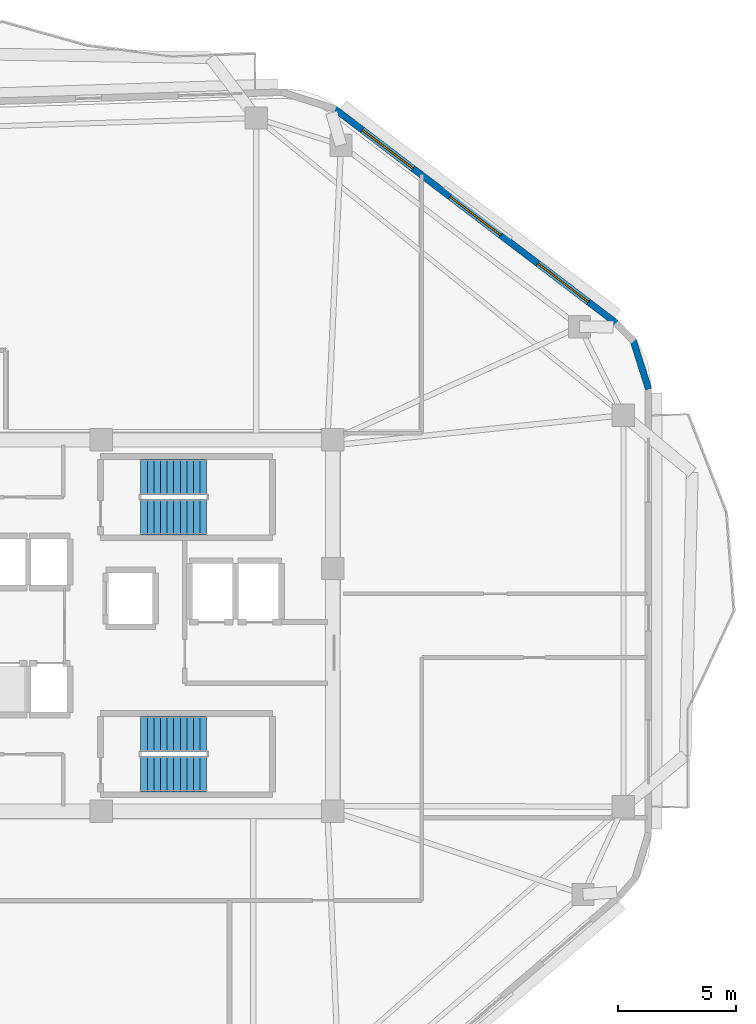
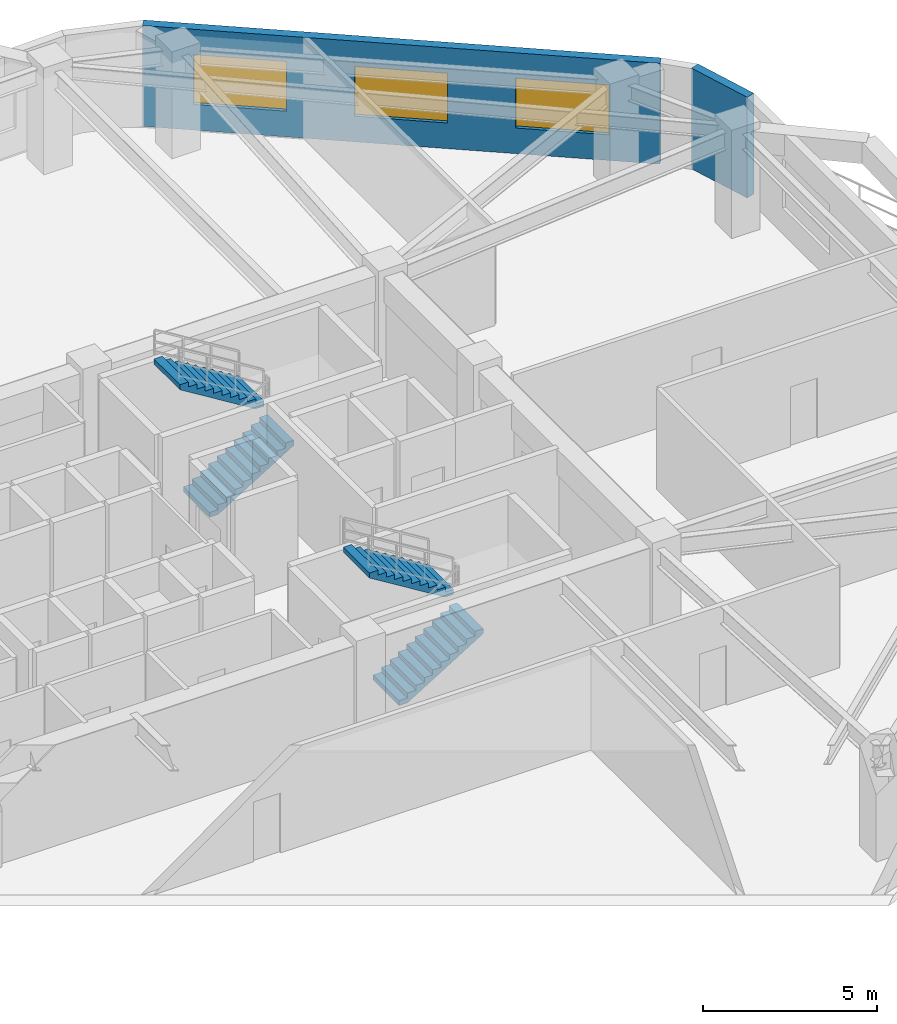
# One storey, part 6 of 9: 4 stair flights, 3 windows, 2 walls, 3 openings, 2 elements without a shape of their own.
"""IFC4 building model written with IfcOpenShell, lengths in metres."""

from ifc_helpers import new_model, si_unit, direction, frame, frame_2d, origin, place, context, subcontext, project, spatial, polyline, rectangle, outline, extrude, material, layer, layer_set, type_object, element, fill, aggregate, save


model = new_model("IFC4")

# Units and contexts
model_context = context("Model", 3, precision=1e-05, world=origin(), true_north=direction((0.0, 1.0)))
body_context = subcontext(model_context, "Body", "Model", "MODEL_VIEW")
ifc_project = project(units=[si_unit("LENGTHUNIT", "METRE"), si_unit("AREAUNIT", "SQUARE_METRE"), si_unit("VOLUMEUNIT", "CUBIC_METRE"), si_unit("PLANEANGLEUNIT", "RADIAN"), si_unit("MASSUNIT", "GRAM", prefix="KILO")], contexts=[model_context])

# Site, building, storey
site_placement = place(None, origin())
site = spatial("IfcSite", under=ifc_project, at=site_placement, CompositionType="ELEMENT")
building_placement = place(site_placement, origin())
building = spatial("IfcBuilding", under=site, at=building_placement, Name="Zulverin Broadcast Headquarters", CompositionType="ELEMENT")
storey_placement = place(building_placement, frame((0.0, 0.0, 159.199951171875)))
storey = spatial("IfcBuildingStorey", under=building, at=storey_placement, Name="L40", CompositionType="ELEMENT", Elevation=159.199951171875)

# Wall, openings, windows
ifc_material_1 = material(Name="Insulated pale-metal clad concrete spandrel C40/50", Category="concrete")
ifc_layer = layer(ifc_material_1, 0.280029296875, Name="Insulated pale-metal clad concrete spandrel C40/50", Category="concrete")
ifc_layer_set = layer_set([ifc_layer], Name="Insulated pale-metal clad concrete spandrel C40/50")
wall_type = type_object("IfcWallType", Name="WL-EXT-280", PredefinedType="STANDARD", material=ifc_layer_set)
wall_1_placement = place(storey_placement, frame((60.294921875, 38.025146484375, 0.0), z_axis=(0.0, 0.0, 1.0), x_axis=(-0.795831760834, 0.605517801925, 0.0)))
wall_1 = element("IfcWall", 1, at=wall_1_placement, inside=storey, type_object=wall_type, Name="L40 Pale-Metal Clad Spandrel Wall 4", PredefinedType="STANDARD", context=body_context, shape_type="SweptSolid", body=[
    extrude(rectangle(XDim=15.01171875, YDim=0.280029296875, at=frame_2d((7.505859375, 0.0))), origin(), (0.0, 0.0, 1.0), 3.5400390625),
])
opening_1_placement = place(wall_1_placement, frame((1.4853515625, 0.0, 0.89990234375)))
opening_1 = element("IfcOpeningElement", 2, at=opening_1_placement, cuts=wall_1, Name="Opening W-L40-E41", PredefinedType="OPENING", context=body_context, shape_type="SweptSolid", body=[
    extrude(rectangle(XDim=2.699951171875, YDim=1.75, at=frame_2d((1.35009765625, 0.875))), frame((0.0, 0.14990234375, 0.0), z_axis=(0.0, -1.0, 0.0), x_axis=(1.0, 0.0, 0.0)), (0.0, 0.0, 1.0), 0.300048828125),
])
opening_2_placement = place(wall_1_placement, frame((6.156005859375, 0.0, 0.89990234375)))
opening_2 = element("IfcOpeningElement", 3, at=opening_2_placement, cuts=wall_1, Name="Opening W-L40-E42", PredefinedType="OPENING", context=body_context, shape_type="SweptSolid", body=[
    extrude(rectangle(XDim=2.699951171875, YDim=1.75, at=frame_2d((1.35009765625, 0.875))), frame((0.0, 0.14990234375, 0.0), z_axis=(0.0, -1.0, 0.0), x_axis=(1.0, 0.0, 0.0)), (0.0, 0.0, 1.0), 0.300048828125),
])
opening_3_placement = place(wall_1_placement, frame((10.826416015625, 0.0, 0.89990234375)))
opening_3 = element("IfcOpeningElement", 4, at=opening_3_placement, cuts=wall_1, Name="Opening W-L40-E43", PredefinedType="OPENING", context=body_context, shape_type="SweptSolid", body=[
    extrude(rectangle(XDim=2.699951171875, YDim=1.75, at=frame_2d((1.35009765625, 0.875))), frame((0.0, 0.14990234375, 0.0), z_axis=(0.0, -1.0, 0.0), x_axis=(1.0, 0.0, 0.0)), (0.0, 0.0, 1.0), 0.300048828125),
])
ifc_material_2 = material(Name="Pale anodized aluminium frame with solar-control low-E double glazing", Category="aluminium")
window_type = type_object("IfcWindowType", Name="WIN-TWR-2700", PartitioningType="SINGLE_PANEL", PredefinedType="WINDOW", material=ifc_material_2)
window_1_placement = place(opening_1_placement, origin())
window_1 = element("IfcWindow", 5, at=window_1_placement, inside=storey, type_object=window_type, Name="L40 Ribbon Glazing Window 4 1", OverallHeight=1.75, OverallWidth=2.699951171875, PartitioningType="SINGLE_PANEL", PredefinedType="WINDOW", context=body_context, shape_type="SweptSolid", body=[
    extrude(rectangle(XDim=2.699951171875, YDim=1.75, at=frame_2d((1.35009765625, 0.875))), frame((0.0, 0.030029296875, 0.0), z_axis=(0.0, -1.0, 0.0), x_axis=(1.0, 0.0, 0.0)), (0.0, 0.0, 1.0), 0.06005859375),
])
fill(opening_1, window_1)
window_2_placement = place(opening_2_placement, origin())
window_2 = element("IfcWindow", 6, at=window_2_placement, inside=storey, type_object=window_type, Name="L40 Ribbon Glazing Window 4 2", OverallHeight=1.75, OverallWidth=2.699951171875, PartitioningType="SINGLE_PANEL", PredefinedType="WINDOW", context=body_context, shape_type="SweptSolid", body=[
    extrude(rectangle(XDim=2.699951171875, YDim=1.75, at=frame_2d((1.35009765625, 0.875))), frame((0.0, 0.030029296875, 0.0), z_axis=(0.0, -1.0, 0.0), x_axis=(1.0, 0.0, 0.0)), (0.0, 0.0, 1.0), 0.06005859375),
])
fill(opening_2, window_2)
window_3_placement = place(opening_3_placement, origin())
window_3 = element("IfcWindow", 7, at=window_3_placement, inside=storey, type_object=window_type, Name="L40 Ribbon Glazing Window 4 3", OverallHeight=1.75, OverallWidth=2.699951171875, PartitioningType="SINGLE_PANEL", PredefinedType="WINDOW", context=body_context, shape_type="SweptSolid", body=[
    extrude(rectangle(XDim=2.699951171875, YDim=1.75, at=frame_2d((1.35009765625, 0.875))), frame((0.0, 0.030029296875, 0.0), z_axis=(0.0, -1.0, 0.0), x_axis=(1.0, 0.0, 0.0)), (0.0, 0.0, 1.0), 0.06005859375),
])
fill(opening_3, window_3)

# Wall
wall_2_placement = place(storey_placement, frame((61.66650390625, 35.229248046875, 0.0), z_axis=(0.0, 0.0, 1.0), x_axis=(-0.302044777107, 0.953293738898, 0.0)))
element("IfcWall", 8, at=wall_2_placement, inside=storey, type_object=wall_type, Name="L40 Wind-Shaped Corner Spandrel Wall 3-1", PredefinedType="STANDARD", context=body_context, shape_type="SweptSolid", body=[
    extrude(rectangle(XDim=2.17431640625, YDim=0.280029296875, at=frame_2d((1.087158203125, 0.0))), origin(), (0.0, 0.0, 1.0), 3.5400390625),
])

# Stair, stair flights
ifc_material_3 = material(Name="Concrete C40/50", Category="concrete")
stair_type = type_object("IfcStairType", Name="ST-CORE-1500", PredefinedType="HALF_TURN_STAIR", material=ifc_material_3)
stair_1_placement = place(storey_placement, origin())
stair_1 = element("IfcStair", 9, at=stair_1_placement, inside=storey, type_object=stair_type, Name="L40 Core Exit Stair ST-1", PredefinedType="HALF_TURN_STAIR")
stair_flight_type = type_object("IfcStairFlightType", Name="SF-CORE-1500", PredefinedType="STRAIGHT", material=ifc_material_3)
stair_flight_1_placement = place(storey_placement, frame((40.1298828125, 29.800048828125, 0.0), z_axis=(0.0, 0.0, 1.0), x_axis=(1.0, 0.0, 0.0)))
stair_flight_1 = element("IfcStairFlight", 10, at=stair_flight_1_placement, type_object=stair_flight_type, Name="ST-1 flight 1", NumberOfRisers=11, NumberOfTreads=10, PredefinedType="STRAIGHT", RiserHeight=0.172727273, TreadLength=0.28, context=body_context, shape_type="SweptSolid", body=[
    extrude(outline(polyline([(0.0, 0.0), (0.0, 0.172607421875), (0.280029296875, 0.172607421875), (0.280029296875, 0.345458984375), (0.56005859375, 0.345458984375), (0.56005859375, 0.51806640625), (0.840087890625, 0.51806640625), (0.840087890625, 0.69091796875), (1.1201171875, 0.69091796875), (1.1201171875, 0.863525390625), (1.39990234375, 0.863525390625), (1.39990234375, 1.036376953125), (1.679931640625, 1.036376953125), (1.679931640625, 1.208984375), (1.9599609375, 1.208984375), (1.9599609375, 1.3818359375), (2.239990234375, 1.3818359375), (2.239990234375, 1.554443359375), (2.52001953125, 1.554443359375), (2.52001953125, 1.727294921875), (2.800048828125, 1.727294921875), (2.800048828125, 1.89990234375), (2.800048828125, 1.551025390625), (0.285400390625, 0.0), (0.0, 0.0)])), frame((0.0, 0.75, 0.0), z_axis=(0.0, -1.0, 0.0), x_axis=(1.0, 0.0, 0.0)), (0.0, 0.0, 1.0), 1.5),
])
stair_flight_2_placement = place(storey_placement, frame((42.929931640625, 31.5, 1.900146484375), z_axis=(0.0, 0.0, 1.0), x_axis=(-1.0, 0.0, 0.0)))
stair_flight_2 = element("IfcStairFlight", 11, at=stair_flight_2_placement, type_object=stair_flight_type, Name="ST-1 flight 2", NumberOfRisers=11, NumberOfTreads=10, PredefinedType="STRAIGHT", RiserHeight=0.172727273, TreadLength=0.28, context=body_context, shape_type="SweptSolid", body=[
    extrude(outline(polyline([(0.0, 0.0), (0.0, 0.172607421875), (0.280029296875, 0.172607421875), (0.280029296875, 0.345458984375), (0.56005859375, 0.345458984375), (0.56005859375, 0.51806640625), (0.840087890625, 0.51806640625), (0.840087890625, 0.69091796875), (1.1201171875, 0.69091796875), (1.1201171875, 0.863525390625), (1.39990234375, 0.863525390625), (1.39990234375, 1.036376953125), (1.679931640625, 1.036376953125), (1.679931640625, 1.208984375), (1.9599609375, 1.208984375), (1.9599609375, 1.3818359375), (2.239990234375, 1.3818359375), (2.239990234375, 1.554443359375), (2.52001953125, 1.554443359375), (2.52001953125, 1.727294921875), (2.800048828125, 1.727294921875), (2.800048828125, 1.89990234375), (2.800048828125, 1.551025390625), (0.285400390625, 0.0), (0.0, 0.0)])), frame((0.0, 0.75, 0.0), z_axis=(0.0, -1.0, 0.0), x_axis=(1.0, 0.0, 0.0)), (0.0, 0.0, 1.0), 1.5),
])
aggregate(stair_1, [stair_flight_1, stair_flight_2])

stair_2_placement = place(storey_placement, origin())
stair_2 = element("IfcStair", 12, at=stair_2_placement, inside=storey, type_object=stair_type, Name="L40 Core Exit Stair ST-2", PredefinedType="HALF_TURN_STAIR")
stair_flight_3_placement = place(storey_placement, frame((40.1298828125, 18.89990234375, 0.0), z_axis=(0.0, 0.0, 1.0), x_axis=(1.0, 0.0, 0.0)))
stair_flight_3 = element("IfcStairFlight", 13, at=stair_flight_3_placement, type_object=stair_flight_type, Name="ST-2 flight 1", NumberOfRisers=11, NumberOfTreads=10, PredefinedType="STRAIGHT", RiserHeight=0.172727273, TreadLength=0.28, context=body_context, shape_type="SweptSolid", body=[
    extrude(outline(polyline([(0.0, 0.0), (0.0, 0.172607421875), (0.280029296875, 0.172607421875), (0.280029296875, 0.345458984375), (0.56005859375, 0.345458984375), (0.56005859375, 0.51806640625), (0.840087890625, 0.51806640625), (0.840087890625, 0.69091796875), (1.1201171875, 0.69091796875), (1.1201171875, 0.863525390625), (1.39990234375, 0.863525390625), (1.39990234375, 1.036376953125), (1.679931640625, 1.036376953125), (1.679931640625, 1.208984375), (1.9599609375, 1.208984375), (1.9599609375, 1.3818359375), (2.239990234375, 1.3818359375), (2.239990234375, 1.554443359375), (2.52001953125, 1.554443359375), (2.52001953125, 1.727294921875), (2.800048828125, 1.727294921875), (2.800048828125, 1.89990234375), (2.800048828125, 1.551025390625), (0.285400390625, 0.0), (0.0, 0.0)])), frame((0.0, 0.75, 0.0), z_axis=(0.0, -1.0, 0.0), x_axis=(1.0, 0.0, 0.0)), (0.0, 0.0, 1.0), 1.5),
])
stair_flight_4_placement = place(storey_placement, frame((42.929931640625, 20.60009765625, 1.900146484375), z_axis=(0.0, 0.0, 1.0), x_axis=(-1.0, 0.0, 0.0)))
stair_flight_4 = element("IfcStairFlight", 14, at=stair_flight_4_placement, type_object=stair_flight_type, Name="ST-2 flight 2", NumberOfRisers=11, NumberOfTreads=10, PredefinedType="STRAIGHT", RiserHeight=0.172727273, TreadLength=0.28, context=body_context, shape_type="SweptSolid", body=[
    extrude(outline(polyline([(0.0, 0.0), (0.0, 0.172607421875), (0.280029296875, 0.172607421875), (0.280029296875, 0.345458984375), (0.56005859375, 0.345458984375), (0.56005859375, 0.51806640625), (0.840087890625, 0.51806640625), (0.840087890625, 0.69091796875), (1.1201171875, 0.69091796875), (1.1201171875, 0.863525390625), (1.39990234375, 0.863525390625), (1.39990234375, 1.036376953125), (1.679931640625, 1.036376953125), (1.679931640625, 1.208984375), (1.9599609375, 1.208984375), (1.9599609375, 1.3818359375), (2.239990234375, 1.3818359375), (2.239990234375, 1.554443359375), (2.52001953125, 1.554443359375), (2.52001953125, 1.727294921875), (2.800048828125, 1.727294921875), (2.800048828125, 1.89990234375), (2.800048828125, 1.551025390625), (0.285400390625, 0.0), (0.0, 0.0)])), frame((0.0, 0.75, 0.0), z_axis=(0.0, -1.0, 0.0), x_axis=(1.0, 0.0, 0.0)), (0.0, 0.0, 1.0), 1.5),
])
aggregate(stair_2, [stair_flight_3, stair_flight_4])

save(model, "model.ifc")
